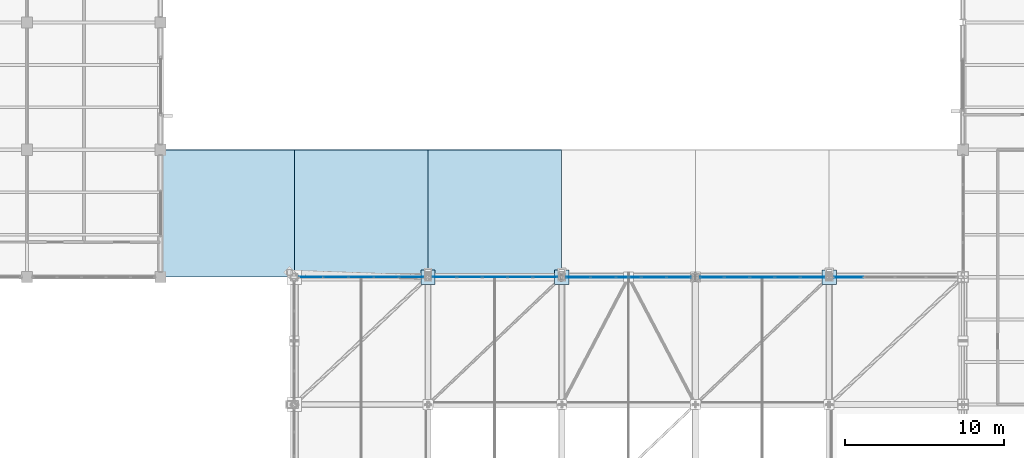
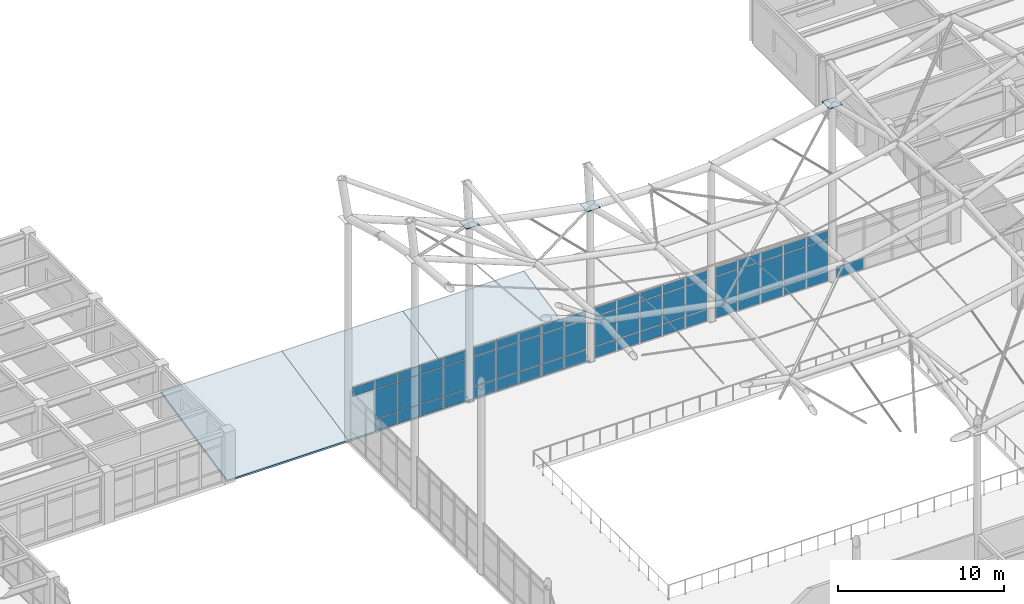
# One storey, part 62 of 138: 62 plates, 3 slabs, 5 elements without a shape of their own.
"""IFC4 building model written with IfcOpenShell, lengths in metres."""

from ifc_helpers import new_model, si_unit, direction, frame, origin, origin_2d, place, context, subcontext, project, spatial, polyline, rectangle, outline, extrude, material, layer, layer_set, type_object, element, aggregate, save


model = new_model("IFC4")

# Units and contexts
model_context = context("Model", 3, precision=1e-05, world=origin(), true_north=direction((0.0, 1.0)))
body_context = subcontext(model_context, "Body", "Model", "MODEL_VIEW")
ifc_project = project(units=[si_unit("LENGTHUNIT", "METRE"), si_unit("AREAUNIT", "SQUARE_METRE"), si_unit("VOLUMEUNIT", "CUBIC_METRE"), si_unit("PLANEANGLEUNIT", "RADIAN"), si_unit("MASSUNIT", "GRAM", prefix="KILO")], contexts=[model_context])

# Site, building, storey
site_placement = place(None, origin())
site = spatial("IfcSite", under=ifc_project, at=site_placement, CompositionType="ELEMENT")
building_placement = place(site_placement, origin())
building = spatial("IfcBuilding", under=site, at=building_placement, Name="Kranzveld Transit Interchange", CompositionType="ELEMENT")
storey_placement = place(building_placement, frame((0.0, 0.0, 5.43994140625)))
storey = spatial("IfcBuildingStorey", under=building, at=storey_placement, Name="L01", CompositionType="ELEMENT", Elevation=5.43994140625)

# Curtain wall, plates
ifc_material_1 = material(Name="Bronze-anodised thermally broken aluminium", Category="aluminium")
ifc_layer_1 = layer(ifc_material_1, 0.14990234375)
ifc_layer_set_1 = layer_set([ifc_layer_1], Name="Bronze-anodised thermally broken aluminium")
curtain_wall_type_1 = type_object("IfcCurtainWallType", Name="Public Passage Clerestory Screen CW-4", PredefinedType="USERDEFINED", material=ifc_layer_set_1)
curtain_wall_1_placement = place(storey_placement, origin())
curtain_wall_1 = element("IfcCurtainWall", 1, at=curtain_wall_1_placement, inside=storey, type_object=curtain_wall_type_1, Name="L01 Curtain Wall 08/M-09/M", ObjectType="CURTAIN WALL", PredefinedType="USERDEFINED")
ifc_material_2 = material(Name="Solar-control double glazing", Category="glass")
ifc_layer_2 = layer(ifc_material_2, 0.0419921875)
ifc_layer_set_2 = layer_set([ifc_layer_2], Name="Solar-control double glazing")
plate_type_1 = type_object("IfcPlateType", Name="Curtain Panel Laminated Glazing 42", PredefinedType="CURTAIN_PANEL", material=ifc_layer_set_2)
plate_1_placement = place(storey_placement, frame((59.837890625, 88.0, 3.1298828125), z_axis=(0.0, 0.0, 1.0), x_axis=(1.0, 0.0, 0.0)))
plate_1 = element("IfcPlate", 2, at=plate_1_placement, type_object=plate_type_1, Name="CW-4 panel 1.3", PredefinedType="CURTAIN_PANEL", context=body_context, shape_type="SweptSolid", body=[
    extrude(rectangle(XDim=1.49853515625, YDim=0.0419921875, at=origin_2d()), origin(), (0.0, 0.0, 1.0), 0.610107421875),
])
plate_2_placement = place(storey_placement, frame((61.411376953125, 88.0, 0.06005859375), z_axis=(0.0, 0.0, 1.0), x_axis=(1.0, 0.0, 0.0)))
plate_2 = element("IfcPlate", 3, at=plate_2_placement, type_object=plate_type_1, Name="CW-4 panel 2.1", PredefinedType="CURTAIN_PANEL", context=body_context, shape_type="SweptSolid", body=[
    extrude(rectangle(XDim=1.528564453125, YDim=0.0419921875, at=origin_2d()), origin(), (0.0, 0.0, 1.0), 0.81005859375),
])
plate_3_placement = place(storey_placement, frame((61.411376953125, 88.0, 0.93017578125), z_axis=(0.0, 0.0, 1.0), x_axis=(1.0, 0.0, 0.0)))
plate_3 = element("IfcPlate", 4, at=plate_3_placement, type_object=plate_type_1, Name="CW-4 panel 2.2", PredefinedType="CURTAIN_PANEL", context=body_context, shape_type="SweptSolid", body=[
    extrude(rectangle(XDim=1.528564453125, YDim=0.0419921875, at=origin_2d()), origin(), (0.0, 0.0, 1.0), 2.139892578125),
])
plate_4_placement = place(storey_placement, frame((61.411376953125, 88.0, 3.1298828125), z_axis=(0.0, 0.0, 1.0), x_axis=(1.0, 0.0, 0.0)))
plate_4 = element("IfcPlate", 5, at=plate_4_placement, type_object=plate_type_1, Name="CW-4 panel 2.3", PredefinedType="CURTAIN_PANEL", context=body_context, shape_type="SweptSolid", body=[
    extrude(rectangle(XDim=1.528564453125, YDim=0.0419921875, at=origin_2d()), origin(), (0.0, 0.0, 1.0), 0.610107421875),
])
plate_5_placement = place(storey_placement, frame((63.0, 88.0, 0.06005859375), z_axis=(0.0, 0.0, 1.0), x_axis=(1.0, 0.0, 0.0)))
plate_5 = element("IfcPlate", 6, at=plate_5_placement, type_object=plate_type_1, Name="CW-4 panel 3.1", PredefinedType="CURTAIN_PANEL", context=body_context, shape_type="SweptSolid", body=[
    extrude(rectangle(XDim=1.528564453125, YDim=0.0419921875, at=origin_2d()), origin(), (0.0, 0.0, 1.0), 0.81005859375),
])
plate_6_placement = place(storey_placement, frame((63.0, 88.0, 0.93017578125), z_axis=(0.0, 0.0, 1.0), x_axis=(1.0, 0.0, 0.0)))
plate_6 = element("IfcPlate", 7, at=plate_6_placement, type_object=plate_type_1, Name="CW-4 panel 3.2", PredefinedType="CURTAIN_PANEL", context=body_context, shape_type="SweptSolid", body=[
    extrude(rectangle(XDim=1.528564453125, YDim=0.0419921875, at=origin_2d()), origin(), (0.0, 0.0, 1.0), 2.139892578125),
])
plate_7_placement = place(storey_placement, frame((63.0, 88.0, 3.1298828125), z_axis=(0.0, 0.0, 1.0), x_axis=(1.0, 0.0, 0.0)))
plate_7 = element("IfcPlate", 8, at=plate_7_placement, type_object=plate_type_1, Name="CW-4 panel 3.3", PredefinedType="CURTAIN_PANEL", context=body_context, shape_type="SweptSolid", body=[
    extrude(rectangle(XDim=1.528564453125, YDim=0.0419921875, at=origin_2d()), origin(), (0.0, 0.0, 1.0), 0.610107421875),
])
plate_8_placement = place(storey_placement, frame((64.588623046875, 88.0, 0.06005859375), z_axis=(0.0, 0.0, 1.0), x_axis=(1.0, 0.0, 0.0)))
plate_8 = element("IfcPlate", 9, at=plate_8_placement, type_object=plate_type_1, Name="CW-4 panel 4.1", PredefinedType="CURTAIN_PANEL", context=body_context, shape_type="SweptSolid", body=[
    extrude(rectangle(XDim=1.528564453125, YDim=0.0419921875, at=origin_2d()), origin(), (0.0, 0.0, 1.0), 0.81005859375),
])
plate_9_placement = place(storey_placement, frame((64.588623046875, 88.0, 0.93017578125), z_axis=(0.0, 0.0, 1.0), x_axis=(1.0, 0.0, 0.0)))
plate_9 = element("IfcPlate", 10, at=plate_9_placement, type_object=plate_type_1, Name="CW-4 panel 4.2", PredefinedType="CURTAIN_PANEL", context=body_context, shape_type="SweptSolid", body=[
    extrude(rectangle(XDim=1.528564453125, YDim=0.0419921875, at=origin_2d()), origin(), (0.0, 0.0, 1.0), 2.139892578125),
])
plate_10_placement = place(storey_placement, frame((64.588623046875, 88.0, 3.1298828125), z_axis=(0.0, 0.0, 1.0), x_axis=(1.0, 0.0, 0.0)))
plate_10 = element("IfcPlate", 11, at=plate_10_placement, type_object=plate_type_1, Name="CW-4 panel 4.3", PredefinedType="CURTAIN_PANEL", context=body_context, shape_type="SweptSolid", body=[
    extrude(rectangle(XDim=1.528564453125, YDim=0.0419921875, at=origin_2d()), origin(), (0.0, 0.0, 1.0), 0.610107421875),
])
plate_11_placement = place(storey_placement, frame((66.162109375, 88.0, 0.06005859375), z_axis=(0.0, 0.0, 1.0), x_axis=(1.0, 0.0, 0.0)))
plate_11 = element("IfcPlate", 12, at=plate_11_placement, type_object=plate_type_1, Name="CW-4 panel 5.1", PredefinedType="CURTAIN_PANEL", context=body_context, shape_type="SweptSolid", body=[
    extrude(rectangle(XDim=1.49853515625, YDim=0.0419921875, at=origin_2d()), origin(), (0.0, 0.0, 1.0), 0.81005859375),
])
plate_12_placement = place(storey_placement, frame((66.162109375, 88.0, 0.93017578125), z_axis=(0.0, 0.0, 1.0), x_axis=(1.0, 0.0, 0.0)))
plate_12 = element("IfcPlate", 13, at=plate_12_placement, type_object=plate_type_1, Name="CW-4 panel 5.2", PredefinedType="CURTAIN_PANEL", context=body_context, shape_type="SweptSolid", body=[
    extrude(rectangle(XDim=1.49853515625, YDim=0.0419921875, at=origin_2d()), origin(), (0.0, 0.0, 1.0), 2.139892578125),
])
plate_13_placement = place(storey_placement, frame((66.162109375, 88.0, 3.1298828125), z_axis=(0.0, 0.0, 1.0), x_axis=(1.0, 0.0, 0.0)))
plate_13 = element("IfcPlate", 14, at=plate_13_placement, type_object=plate_type_1, Name="CW-4 panel 5.3", PredefinedType="CURTAIN_PANEL", context=body_context, shape_type="SweptSolid", body=[
    extrude(rectangle(XDim=1.49853515625, YDim=0.0419921875, at=origin_2d()), origin(), (0.0, 0.0, 1.0), 0.610107421875),
])
aggregate(curtain_wall_1, [plate_1, plate_2, plate_3, plate_4, plate_5, plate_6, plate_7, plate_8, plate_9, plate_10, plate_11, plate_12, plate_13])

ifc_material_3 = material(Name="Bronze-anodised thermally broken aluminium", Category="aluminium")
ifc_layer_3 = layer(ifc_material_3, 0.18505859375)
ifc_layer_set_3 = layer_set([ifc_layer_3], Name="Bronze-anodised thermally broken aluminium")
curtain_wall_type_2 = type_object("IfcCurtainWallType", Name="Control Crown Observation Facade CW-5", PredefinedType="USERDEFINED", material=ifc_layer_set_3)
curtain_wall_2_placement = place(storey_placement, origin())
curtain_wall_2 = element("IfcCurtainWall", 15, at=curtain_wall_2_placement, inside=storey, type_object=curtain_wall_type_2, Name="L01 Curtain Wall 09/M-10/M", ObjectType="CURTAIN WALL", PredefinedType="USERDEFINED")
ifc_material_4 = material(Name="Solar-control double glazing", Category="glass")
ifc_layer_4 = layer(ifc_material_4, 0.035888671875)
ifc_layer_set_4 = layer_set([ifc_layer_4], Name="Solar-control double glazing")
plate_type_2 = type_object("IfcPlateType", Name="Curtain Panel Triple Glazing 36", PredefinedType="CURTAIN_PANEL", material=ifc_layer_set_4)
plate_14_placement = place(storey_placement, frame((68.239013671875, 88.0, 0.06494140625), z_axis=(0.0, 0.0, 1.0), x_axis=(1.0, 0.0, 0.0)))
plate_14 = element("IfcPlate", 16, at=plate_14_placement, type_object=plate_type_2, Name="CW-5 panel 1.1", PredefinedType="CURTAIN_PANEL", context=body_context, shape_type="SweptSolid", body=[
    extrude(rectangle(XDim=1.4912109375, YDim=0.035888671875, at=origin_2d()), origin(), (0.0, 0.0, 1.0), 0.802490234375),
])
plate_15_placement = place(storey_placement, frame((68.239013671875, 88.0, 0.9326171875), z_axis=(0.0, 0.0, 1.0), x_axis=(1.0, 0.0, 0.0)))
plate_15 = element("IfcPlate", 17, at=plate_15_placement, type_object=plate_type_2, Name="CW-5 panel 1.2", PredefinedType="CURTAIN_PANEL", context=body_context, shape_type="SweptSolid", body=[
    extrude(rectangle(XDim=1.4912109375, YDim=0.035888671875, at=origin_2d()), origin(), (0.0, 0.0, 1.0), 2.135009765625),
])
plate_16_placement = place(storey_placement, frame((68.239013671875, 88.0, 3.132568359375), z_axis=(0.0, 0.0, 1.0), x_axis=(1.0, 0.0, 0.0)))
plate_16 = element("IfcPlate", 18, at=plate_16_placement, type_object=plate_type_2, Name="CW-5 panel 1.3", PredefinedType="CURTAIN_PANEL", context=body_context, shape_type="SweptSolid", body=[
    extrude(rectangle(XDim=1.4912109375, YDim=0.035888671875, at=origin_2d()), origin(), (0.0, 0.0, 1.0), 0.6025390625),
])
plate_17_placement = place(storey_placement, frame((69.811279296875, 88.0, 0.06494140625), z_axis=(0.0, 0.0, 1.0), x_axis=(1.0, 0.0, 0.0)))
plate_17 = element("IfcPlate", 19, at=plate_17_placement, type_object=plate_type_2, Name="CW-5 panel 2.1", PredefinedType="CURTAIN_PANEL", context=body_context, shape_type="SweptSolid", body=[
    extrude(rectangle(XDim=1.523681640625, YDim=0.035888671875, at=origin_2d()), origin(), (0.0, 0.0, 1.0), 0.802490234375),
])
plate_18_placement = place(storey_placement, frame((69.811279296875, 88.0, 0.9326171875), z_axis=(0.0, 0.0, 1.0), x_axis=(1.0, 0.0, 0.0)))
plate_18 = element("IfcPlate", 20, at=plate_18_placement, type_object=plate_type_2, Name="CW-5 panel 2.2", PredefinedType="CURTAIN_PANEL", context=body_context, shape_type="SweptSolid", body=[
    extrude(rectangle(XDim=1.523681640625, YDim=0.035888671875, at=origin_2d()), origin(), (0.0, 0.0, 1.0), 2.135009765625),
])
plate_19_placement = place(storey_placement, frame((69.811279296875, 88.0, 3.132568359375), z_axis=(0.0, 0.0, 1.0), x_axis=(1.0, 0.0, 0.0)))
plate_19 = element("IfcPlate", 21, at=plate_19_placement, type_object=plate_type_2, Name="CW-5 panel 2.3", PredefinedType="CURTAIN_PANEL", context=body_context, shape_type="SweptSolid", body=[
    extrude(rectangle(XDim=1.523681640625, YDim=0.035888671875, at=origin_2d()), origin(), (0.0, 0.0, 1.0), 0.6025390625),
])
plate_20_placement = place(storey_placement, frame((71.39990234375, 88.0, 0.06494140625), z_axis=(0.0, 0.0, 1.0), x_axis=(1.0, 0.0, 0.0)))
plate_20 = element("IfcPlate", 22, at=plate_20_placement, type_object=plate_type_2, Name="CW-5 panel 3.1", PredefinedType="CURTAIN_PANEL", context=body_context, shape_type="SweptSolid", body=[
    extrude(rectangle(XDim=1.523681640625, YDim=0.035888671875, at=origin_2d()), origin(), (0.0, 0.0, 1.0), 0.802490234375),
])
plate_21_placement = place(storey_placement, frame((71.39990234375, 88.0, 0.9326171875), z_axis=(0.0, 0.0, 1.0), x_axis=(1.0, 0.0, 0.0)))
plate_21 = element("IfcPlate", 23, at=plate_21_placement, type_object=plate_type_2, Name="CW-5 panel 3.2", PredefinedType="CURTAIN_PANEL", context=body_context, shape_type="SweptSolid", body=[
    extrude(rectangle(XDim=1.523681640625, YDim=0.035888671875, at=origin_2d()), origin(), (0.0, 0.0, 1.0), 2.135009765625),
])
plate_22_placement = place(storey_placement, frame((71.39990234375, 88.0, 3.132568359375), z_axis=(0.0, 0.0, 1.0), x_axis=(1.0, 0.0, 0.0)))
plate_22 = element("IfcPlate", 24, at=plate_22_placement, type_object=plate_type_2, Name="CW-5 panel 3.3", PredefinedType="CURTAIN_PANEL", context=body_context, shape_type="SweptSolid", body=[
    extrude(rectangle(XDim=1.523681640625, YDim=0.035888671875, at=origin_2d()), origin(), (0.0, 0.0, 1.0), 0.6025390625),
])
plate_23_placement = place(storey_placement, frame((72.988525390625, 88.0, 0.06494140625), z_axis=(0.0, 0.0, 1.0), x_axis=(1.0, 0.0, 0.0)))
plate_23 = element("IfcPlate", 25, at=plate_23_placement, type_object=plate_type_2, Name="CW-5 panel 4.1", PredefinedType="CURTAIN_PANEL", context=body_context, shape_type="SweptSolid", body=[
    extrude(rectangle(XDim=1.523681640625, YDim=0.035888671875, at=origin_2d()), origin(), (0.0, 0.0, 1.0), 0.802490234375),
])
plate_24_placement = place(storey_placement, frame((72.988525390625, 88.0, 0.9326171875), z_axis=(0.0, 0.0, 1.0), x_axis=(1.0, 0.0, 0.0)))
plate_24 = element("IfcPlate", 26, at=plate_24_placement, type_object=plate_type_2, Name="CW-5 panel 4.2", PredefinedType="CURTAIN_PANEL", context=body_context, shape_type="SweptSolid", body=[
    extrude(rectangle(XDim=1.523681640625, YDim=0.035888671875, at=origin_2d()), origin(), (0.0, 0.0, 1.0), 2.135009765625),
])
plate_25_placement = place(storey_placement, frame((72.988525390625, 88.0, 3.132568359375), z_axis=(0.0, 0.0, 1.0), x_axis=(1.0, 0.0, 0.0)))
plate_25 = element("IfcPlate", 27, at=plate_25_placement, type_object=plate_type_2, Name="CW-5 panel 4.3", PredefinedType="CURTAIN_PANEL", context=body_context, shape_type="SweptSolid", body=[
    extrude(rectangle(XDim=1.523681640625, YDim=0.035888671875, at=origin_2d()), origin(), (0.0, 0.0, 1.0), 0.6025390625),
])
plate_26_placement = place(storey_placement, frame((74.56103515625, 88.0, 0.06494140625), z_axis=(0.0, 0.0, 1.0), x_axis=(1.0, 0.0, 0.0)))
plate_26 = element("IfcPlate", 28, at=plate_26_placement, type_object=plate_type_2, Name="CW-5 panel 5.1", PredefinedType="CURTAIN_PANEL", context=body_context, shape_type="SweptSolid", body=[
    extrude(rectangle(XDim=1.4912109375, YDim=0.035888671875, at=origin_2d()), origin(), (0.0, 0.0, 1.0), 0.802490234375),
])
plate_27_placement = place(storey_placement, frame((74.56103515625, 88.0, 0.9326171875), z_axis=(0.0, 0.0, 1.0), x_axis=(1.0, 0.0, 0.0)))
plate_27 = element("IfcPlate", 29, at=plate_27_placement, type_object=plate_type_2, Name="CW-5 panel 5.2", PredefinedType="CURTAIN_PANEL", context=body_context, shape_type="SweptSolid", body=[
    extrude(rectangle(XDim=1.4912109375, YDim=0.035888671875, at=origin_2d()), origin(), (0.0, 0.0, 1.0), 2.135009765625),
])
plate_28_placement = place(storey_placement, frame((74.56103515625, 88.0, 3.132568359375), z_axis=(0.0, 0.0, 1.0), x_axis=(1.0, 0.0, 0.0)))
plate_28 = element("IfcPlate", 30, at=plate_28_placement, type_object=plate_type_2, Name="CW-5 panel 5.3", PredefinedType="CURTAIN_PANEL", context=body_context, shape_type="SweptSolid", body=[
    extrude(rectangle(XDim=1.4912109375, YDim=0.035888671875, at=origin_2d()), origin(), (0.0, 0.0, 1.0), 0.6025390625),
])
aggregate(curtain_wall_2, [plate_14, plate_15, plate_16, plate_17, plate_18, plate_19, plate_20, plate_21, plate_22, plate_23, plate_24, plate_25, plate_26, plate_27, plate_28])

ifc_material_5 = material(Name="Bronze-anodised thermally broken aluminium", Category="aluminium")
ifc_layer_5 = layer(ifc_material_5, 0.1650390625)
ifc_layer_set_5 = layer_set([ifc_layer_5], Name="Bronze-anodised thermally broken aluminium")
curtain_wall_type_3 = type_object("IfcCurtainWallType", Name="Sunny Court Arcade Curtain Wall CW-2", PredefinedType="USERDEFINED", material=ifc_layer_set_5)
curtain_wall_3_placement = place(storey_placement, origin())
curtain_wall_3 = element("IfcCurtainWall", 31, at=curtain_wall_3_placement, inside=storey, type_object=curtain_wall_type_3, Name="L01 Curtain Wall 11/M-12/M", ObjectType="CURTAIN WALL", PredefinedType="USERDEFINED")
ifc_material_6 = material(Name="Pretoria red-purple clinker clay face brick, 35 MPa", Category="masonry")
ifc_layer_6 = layer(ifc_material_6, 0.050048828125)
ifc_layer_set_6 = layer_set([ifc_layer_6], Name="Pretoria red-purple clinker clay face brick, 35 MPa")
plate_type_3 = type_object("IfcPlateType", Name="Curtain Spandrel Clinker Tile 50", PredefinedType="CURTAIN_PANEL", material=ifc_layer_set_6)
plate_29_placement = place(storey_placement, frame((85.0390625, 88.0, 0.06005859375), z_axis=(0.0, 0.0, 1.0), x_axis=(1.0, 0.0, 0.0)))
plate_29 = element("IfcPlate", 32, at=plate_29_placement, type_object=plate_type_3, Name="CW-2 panel 1.1", PredefinedType="CURTAIN_PANEL", context=body_context, shape_type="SweptSolid", body=[
    extrude(rectangle(XDim=1.4912109375, YDim=0.050048828125, at=origin_2d()), origin(), (0.0, 0.0, 1.0), 0.81005859375),
])
plate_30_placement = place(storey_placement, frame((85.0390625, 88.0, 0.93017578125), z_axis=(0.0, 0.0, 1.0), x_axis=(1.0, 0.0, 0.0)))
plate_30 = element("IfcPlate", 33, at=plate_30_placement, type_object=plate_type_3, Name="CW-2 panel 1.2", PredefinedType="CURTAIN_PANEL", context=body_context, shape_type="SweptSolid", body=[
    extrude(rectangle(XDim=1.4912109375, YDim=0.050048828125, at=origin_2d()), origin(), (0.0, 0.0, 1.0), 2.139892578125),
])
plate_31_placement = place(storey_placement, frame((85.0390625, 88.0, 3.1298828125), z_axis=(0.0, 0.0, 1.0), x_axis=(1.0, 0.0, 0.0)))
plate_31 = element("IfcPlate", 34, at=plate_31_placement, type_object=plate_type_3, Name="CW-2 panel 1.3", PredefinedType="CURTAIN_PANEL", context=body_context, shape_type="SweptSolid", body=[
    extrude(rectangle(XDim=1.4912109375, YDim=0.050048828125, at=origin_2d()), origin(), (0.0, 0.0, 1.0), 0.610107421875),
])
plate_32_placement = place(storey_placement, frame((86.611328125, 88.0, 0.06005859375), z_axis=(0.0, 0.0, 1.0), x_axis=(1.0, 0.0, 0.0)))
plate_32 = element("IfcPlate", 35, at=plate_32_placement, type_object=plate_type_3, Name="CW-2 panel 2.1", PredefinedType="CURTAIN_PANEL", context=body_context, shape_type="SweptSolid", body=[
    extrude(rectangle(XDim=1.523681640625, YDim=0.050048828125, at=origin_2d()), origin(), (0.0, 0.0, 1.0), 0.81005859375),
])
plate_33_placement = place(storey_placement, frame((86.611328125, 88.0, 0.93017578125), z_axis=(0.0, 0.0, 1.0), x_axis=(1.0, 0.0, 0.0)))
plate_33 = element("IfcPlate", 36, at=plate_33_placement, type_object=plate_type_3, Name="CW-2 panel 2.2", PredefinedType="CURTAIN_PANEL", context=body_context, shape_type="SweptSolid", body=[
    extrude(rectangle(XDim=1.523681640625, YDim=0.050048828125, at=origin_2d()), origin(), (0.0, 0.0, 1.0), 2.139892578125),
])
plate_34_placement = place(storey_placement, frame((86.611328125, 88.0, 3.1298828125), z_axis=(0.0, 0.0, 1.0), x_axis=(1.0, 0.0, 0.0)))
plate_34 = element("IfcPlate", 37, at=plate_34_placement, type_object=plate_type_3, Name="CW-2 panel 2.3", PredefinedType="CURTAIN_PANEL", context=body_context, shape_type="SweptSolid", body=[
    extrude(rectangle(XDim=1.523681640625, YDim=0.050048828125, at=origin_2d()), origin(), (0.0, 0.0, 1.0), 0.610107421875),
])
plate_35_placement = place(storey_placement, frame((88.199951171875, 88.0, 0.06005859375), z_axis=(0.0, 0.0, 1.0), x_axis=(1.0, 0.0, 0.0)))
plate_35 = element("IfcPlate", 38, at=plate_35_placement, type_object=plate_type_3, Name="CW-2 panel 3.1", PredefinedType="CURTAIN_PANEL", context=body_context, shape_type="SweptSolid", body=[
    extrude(rectangle(XDim=1.523681640625, YDim=0.050048828125, at=origin_2d()), origin(), (0.0, 0.0, 1.0), 0.81005859375),
])
plate_36_placement = place(storey_placement, frame((88.199951171875, 88.0, 0.93017578125), z_axis=(0.0, 0.0, 1.0), x_axis=(1.0, 0.0, 0.0)))
plate_36 = element("IfcPlate", 39, at=plate_36_placement, type_object=plate_type_3, Name="CW-2 panel 3.2", PredefinedType="CURTAIN_PANEL", context=body_context, shape_type="SweptSolid", body=[
    extrude(rectangle(XDim=1.523681640625, YDim=0.050048828125, at=origin_2d()), origin(), (0.0, 0.0, 1.0), 2.139892578125),
])
plate_37_placement = place(storey_placement, frame((88.199951171875, 88.0, 3.1298828125), z_axis=(0.0, 0.0, 1.0), x_axis=(1.0, 0.0, 0.0)))
plate_37 = element("IfcPlate", 40, at=plate_37_placement, type_object=plate_type_3, Name="CW-2 panel 3.3", PredefinedType="CURTAIN_PANEL", context=body_context, shape_type="SweptSolid", body=[
    extrude(rectangle(XDim=1.523681640625, YDim=0.050048828125, at=origin_2d()), origin(), (0.0, 0.0, 1.0), 0.610107421875),
])
plate_38_placement = place(storey_placement, frame((89.78857421875, 88.0, 0.06005859375), z_axis=(0.0, 0.0, 1.0), x_axis=(1.0, 0.0, 0.0)))
plate_38 = element("IfcPlate", 41, at=plate_38_placement, type_object=plate_type_3, Name="CW-2 panel 4.1", PredefinedType="CURTAIN_PANEL", context=body_context, shape_type="SweptSolid", body=[
    extrude(rectangle(XDim=1.523681640625, YDim=0.050048828125, at=origin_2d()), origin(), (0.0, 0.0, 1.0), 0.81005859375),
])
plate_39_placement = place(storey_placement, frame((89.78857421875, 88.0, 0.93017578125), z_axis=(0.0, 0.0, 1.0), x_axis=(1.0, 0.0, 0.0)))
plate_39 = element("IfcPlate", 42, at=plate_39_placement, type_object=plate_type_3, Name="CW-2 panel 4.2", PredefinedType="CURTAIN_PANEL", context=body_context, shape_type="SweptSolid", body=[
    extrude(rectangle(XDim=1.523681640625, YDim=0.050048828125, at=origin_2d()), origin(), (0.0, 0.0, 1.0), 2.139892578125),
])
plate_40_placement = place(storey_placement, frame((89.78857421875, 88.0, 3.1298828125), z_axis=(0.0, 0.0, 1.0), x_axis=(1.0, 0.0, 0.0)))
plate_40 = element("IfcPlate", 43, at=plate_40_placement, type_object=plate_type_3, Name="CW-2 panel 4.3", PredefinedType="CURTAIN_PANEL", context=body_context, shape_type="SweptSolid", body=[
    extrude(rectangle(XDim=1.523681640625, YDim=0.050048828125, at=origin_2d()), origin(), (0.0, 0.0, 1.0), 0.610107421875),
])
plate_41_placement = place(storey_placement, frame((91.36083984375, 88.0, 0.06005859375), z_axis=(0.0, 0.0, 1.0), x_axis=(1.0, 0.0, 0.0)))
plate_41 = element("IfcPlate", 44, at=plate_41_placement, type_object=plate_type_3, Name="CW-2 panel 5.1", PredefinedType="CURTAIN_PANEL", context=body_context, shape_type="SweptSolid", body=[
    extrude(rectangle(XDim=1.4912109375, YDim=0.050048828125, at=origin_2d()), origin(), (0.0, 0.0, 1.0), 0.81005859375),
])
plate_42_placement = place(storey_placement, frame((91.36083984375, 88.0, 0.93017578125), z_axis=(0.0, 0.0, 1.0), x_axis=(1.0, 0.0, 0.0)))
plate_42 = element("IfcPlate", 45, at=plate_42_placement, type_object=plate_type_3, Name="CW-2 panel 5.2", PredefinedType="CURTAIN_PANEL", context=body_context, shape_type="SweptSolid", body=[
    extrude(rectangle(XDim=1.4912109375, YDim=0.050048828125, at=origin_2d()), origin(), (0.0, 0.0, 1.0), 2.139892578125),
])
plate_43_placement = place(storey_placement, frame((91.36083984375, 88.0, 3.1298828125), z_axis=(0.0, 0.0, 1.0), x_axis=(1.0, 0.0, 0.0)))
plate_43 = element("IfcPlate", 46, at=plate_43_placement, type_object=plate_type_3, Name="CW-2 panel 5.3", PredefinedType="CURTAIN_PANEL", context=body_context, shape_type="SweptSolid", body=[
    extrude(rectangle(XDim=1.4912109375, YDim=0.050048828125, at=origin_2d()), origin(), (0.0, 0.0, 1.0), 0.610107421875),
])
aggregate(curtain_wall_3, [plate_29, plate_30, plate_31, plate_32, plate_33, plate_34, plate_35, plate_36, plate_37, plate_38, plate_39, plate_40, plate_41, plate_42, plate_43])

# Curtain wall, plate
ifc_material_7 = material(Name="Bronze-anodised thermally broken aluminium", Category="aluminium")
ifc_layer_7 = layer(ifc_material_7, 0.159912109375)
ifc_layer_set_7 = layer_set([ifc_layer_7], Name="Bronze-anodised thermally broken aluminium")
curtain_wall_type_4 = type_object("IfcCurtainWallType", Name="Bus Boarding Glazed Screen CW-3", PredefinedType="USERDEFINED", material=ifc_layer_set_7)
curtain_wall_4_placement = place(storey_placement, origin())
curtain_wall_4 = element("IfcCurtainWall", 47, at=curtain_wall_4_placement, inside=storey, type_object=curtain_wall_type_4, Name="L01 Curtain Wall 12/M-13/M", ObjectType="CURTAIN WALL", PredefinedType="USERDEFINED")
ifc_material_8 = material(Name="Bronze-anodised thermally broken aluminium", Category="aluminium")
ifc_layer_8 = layer(ifc_material_8, 0.053955078125)
ifc_layer_set_8 = layer_set([ifc_layer_8], Name="Bronze-anodised thermally broken aluminium")
plate_type_4 = type_object("IfcPlateType", Name="Curtain Spandrel Insulated Alu 54", PredefinedType="CURTAIN_PANEL", material=ifc_layer_set_8)
plate_44_placement = place(storey_placement, frame((93.62109375, 88.0, 0.06494140625), z_axis=(0.0, 0.0, 1.0), x_axis=(1.0, 0.0, 0.0)))
plate_44 = element("IfcPlate", 48, at=plate_44_placement, type_object=plate_type_4, Name="CW-3 panel 1.1", PredefinedType="CURTAIN_PANEL", context=body_context, shape_type="SweptSolid", body=[
    extrude(rectangle(XDim=1.865478515625, YDim=0.053955078125, at=origin_2d()), origin(), (0.0, 0.0, 1.0), 0.802490234375),
])
aggregate(curtain_wall_4, [plate_44])

# Curtain wall, plates
ifc_material_9 = material(Name="Bronze-anodised thermally broken aluminium", Category="aluminium")
ifc_layer_9 = layer(ifc_material_9, 0.155029296875)
ifc_layer_set_9 = layer_set([ifc_layer_9], Name="Bronze-anodised thermally broken aluminium")
curtain_wall_type_5 = type_object("IfcCurtainWallType", Name="Operations Courtyard Glazed Screen CW-6", PredefinedType="USERDEFINED", material=ifc_layer_set_9)
curtain_wall_5_placement = place(storey_placement, origin())
curtain_wall_5 = element("IfcCurtainWall", 49, at=curtain_wall_5_placement, inside=storey, type_object=curtain_wall_type_5, Name="L01 Curtain Wall 10/M-11/M", ObjectType="CURTAIN WALL", PredefinedType="USERDEFINED")
ifc_material_10 = material(Name="Ochre Pretoria sandstone cladding, 45 MPa", Category="masonry")
ifc_layer_10 = layer(ifc_material_10, 0.0458984375)
ifc_layer_set_10 = layer_set([ifc_layer_10], Name="Ochre Pretoria sandstone cladding, 45 MPa")
plate_type_5 = type_object("IfcPlateType", Name="Curtain Spandrel Sandstone 46", PredefinedType="CURTAIN_PANEL", material=ifc_layer_set_10)
plate_45_placement = place(storey_placement, frame((76.63916015625, 88.0, 0.06005859375), z_axis=(0.0, 0.0, 1.0), x_axis=(1.0, 0.0, 0.0)))
plate_45 = element("IfcPlate", 50, at=plate_45_placement, type_object=plate_type_5, Name="CW-6 panel 1.1", PredefinedType="CURTAIN_PANEL", context=body_context, shape_type="SweptSolid", body=[
    extrude(rectangle(XDim=1.4912109375, YDim=0.0458984375, at=origin_2d()), origin(), (0.0, 0.0, 1.0), 0.81005859375),
])
plate_46_placement = place(storey_placement, frame((76.63916015625, 88.0, 0.93017578125), z_axis=(0.0, 0.0, 1.0), x_axis=(1.0, 0.0, 0.0)))
plate_46 = element("IfcPlate", 51, at=plate_46_placement, type_object=plate_type_5, Name="CW-6 panel 1.2", PredefinedType="CURTAIN_PANEL", context=body_context, shape_type="SweptSolid", body=[
    extrude(rectangle(XDim=1.4912109375, YDim=0.0458984375, at=origin_2d()), origin(), (0.0, 0.0, 1.0), 2.139892578125),
])
plate_47_placement = place(storey_placement, frame((76.63916015625, 88.0, 3.1298828125), z_axis=(0.0, 0.0, 1.0), x_axis=(1.0, 0.0, 0.0)))
plate_47 = element("IfcPlate", 52, at=plate_47_placement, type_object=plate_type_5, Name="CW-6 panel 1.3", PredefinedType="CURTAIN_PANEL", context=body_context, shape_type="SweptSolid", body=[
    extrude(rectangle(XDim=1.4912109375, YDim=0.0458984375, at=origin_2d()), origin(), (0.0, 0.0, 1.0), 0.610107421875),
])
plate_48_placement = place(storey_placement, frame((78.21142578125, 88.0, 0.06005859375), z_axis=(0.0, 0.0, 1.0), x_axis=(1.0, 0.0, 0.0)))
plate_48 = element("IfcPlate", 53, at=plate_48_placement, type_object=plate_type_5, Name="CW-6 panel 2.1", PredefinedType="CURTAIN_PANEL", context=body_context, shape_type="SweptSolid", body=[
    extrude(rectangle(XDim=1.523681640625, YDim=0.0458984375, at=origin_2d()), origin(), (0.0, 0.0, 1.0), 0.81005859375),
])
plate_49_placement = place(storey_placement, frame((78.21142578125, 88.0, 0.93017578125), z_axis=(0.0, 0.0, 1.0), x_axis=(1.0, 0.0, 0.0)))
plate_49 = element("IfcPlate", 54, at=plate_49_placement, type_object=plate_type_5, Name="CW-6 panel 2.2", PredefinedType="CURTAIN_PANEL", context=body_context, shape_type="SweptSolid", body=[
    extrude(rectangle(XDim=1.523681640625, YDim=0.0458984375, at=origin_2d()), origin(), (0.0, 0.0, 1.0), 2.139892578125),
])
plate_50_placement = place(storey_placement, frame((78.21142578125, 88.0, 3.1298828125), z_axis=(0.0, 0.0, 1.0), x_axis=(1.0, 0.0, 0.0)))
plate_50 = element("IfcPlate", 55, at=plate_50_placement, type_object=plate_type_5, Name="CW-6 panel 2.3", PredefinedType="CURTAIN_PANEL", context=body_context, shape_type="SweptSolid", body=[
    extrude(rectangle(XDim=1.523681640625, YDim=0.0458984375, at=origin_2d()), origin(), (0.0, 0.0, 1.0), 0.610107421875),
])
plate_51_placement = place(storey_placement, frame((79.800048828125, 88.0, 0.06005859375), z_axis=(0.0, 0.0, 1.0), x_axis=(1.0, 0.0, 0.0)))
plate_51 = element("IfcPlate", 56, at=plate_51_placement, type_object=plate_type_5, Name="CW-6 panel 3.1", PredefinedType="CURTAIN_PANEL", context=body_context, shape_type="SweptSolid", body=[
    extrude(rectangle(XDim=1.523681640625, YDim=0.0458984375, at=origin_2d()), origin(), (0.0, 0.0, 1.0), 0.81005859375),
])
plate_52_placement = place(storey_placement, frame((79.800048828125, 88.0, 0.93017578125), z_axis=(0.0, 0.0, 1.0), x_axis=(1.0, 0.0, 0.0)))
plate_52 = element("IfcPlate", 57, at=plate_52_placement, type_object=plate_type_5, Name="CW-6 panel 3.2", PredefinedType="CURTAIN_PANEL", context=body_context, shape_type="SweptSolid", body=[
    extrude(rectangle(XDim=1.523681640625, YDim=0.0458984375, at=origin_2d()), origin(), (0.0, 0.0, 1.0), 2.139892578125),
])
plate_53_placement = place(storey_placement, frame((79.800048828125, 88.0, 3.1298828125), z_axis=(0.0, 0.0, 1.0), x_axis=(1.0, 0.0, 0.0)))
plate_53 = element("IfcPlate", 58, at=plate_53_placement, type_object=plate_type_5, Name="CW-6 panel 3.3", PredefinedType="CURTAIN_PANEL", context=body_context, shape_type="SweptSolid", body=[
    extrude(rectangle(XDim=1.523681640625, YDim=0.0458984375, at=origin_2d()), origin(), (0.0, 0.0, 1.0), 0.610107421875),
])
plate_54_placement = place(storey_placement, frame((81.388671875, 88.0, 0.06005859375), z_axis=(0.0, 0.0, 1.0), x_axis=(1.0, 0.0, 0.0)))
plate_54 = element("IfcPlate", 59, at=plate_54_placement, type_object=plate_type_5, Name="CW-6 panel 4.1", PredefinedType="CURTAIN_PANEL", context=body_context, shape_type="SweptSolid", body=[
    extrude(rectangle(XDim=1.523681640625, YDim=0.0458984375, at=origin_2d()), origin(), (0.0, 0.0, 1.0), 0.81005859375),
])
plate_55_placement = place(storey_placement, frame((81.388671875, 88.0, 0.93017578125), z_axis=(0.0, 0.0, 1.0), x_axis=(1.0, 0.0, 0.0)))
plate_55 = element("IfcPlate", 60, at=plate_55_placement, type_object=plate_type_5, Name="CW-6 panel 4.2", PredefinedType="CURTAIN_PANEL", context=body_context, shape_type="SweptSolid", body=[
    extrude(rectangle(XDim=1.523681640625, YDim=0.0458984375, at=origin_2d()), origin(), (0.0, 0.0, 1.0), 2.139892578125),
])
plate_56_placement = place(storey_placement, frame((81.388671875, 88.0, 3.1298828125), z_axis=(0.0, 0.0, 1.0), x_axis=(1.0, 0.0, 0.0)))
plate_56 = element("IfcPlate", 61, at=plate_56_placement, type_object=plate_type_5, Name="CW-6 panel 4.3", PredefinedType="CURTAIN_PANEL", context=body_context, shape_type="SweptSolid", body=[
    extrude(rectangle(XDim=1.523681640625, YDim=0.0458984375, at=origin_2d()), origin(), (0.0, 0.0, 1.0), 0.610107421875),
])
plate_57_placement = place(storey_placement, frame((82.9609375, 88.0, 0.06005859375), z_axis=(0.0, 0.0, 1.0), x_axis=(1.0, 0.0, 0.0)))
plate_57 = element("IfcPlate", 62, at=plate_57_placement, type_object=plate_type_5, Name="CW-6 panel 5.1", PredefinedType="CURTAIN_PANEL", context=body_context, shape_type="SweptSolid", body=[
    extrude(rectangle(XDim=1.4912109375, YDim=0.0458984375, at=origin_2d()), origin(), (0.0, 0.0, 1.0), 0.81005859375),
])
plate_58_placement = place(storey_placement, frame((82.9609375, 88.0, 0.93017578125), z_axis=(0.0, 0.0, 1.0), x_axis=(1.0, 0.0, 0.0)))
plate_58 = element("IfcPlate", 63, at=plate_58_placement, type_object=plate_type_5, Name="CW-6 panel 5.2", PredefinedType="CURTAIN_PANEL", context=body_context, shape_type="SweptSolid", body=[
    extrude(rectangle(XDim=1.4912109375, YDim=0.0458984375, at=origin_2d()), origin(), (0.0, 0.0, 1.0), 2.139892578125),
])
plate_59_placement = place(storey_placement, frame((82.9609375, 88.0, 3.1298828125), z_axis=(0.0, 0.0, 1.0), x_axis=(1.0, 0.0, 0.0)))
plate_59 = element("IfcPlate", 64, at=plate_59_placement, type_object=plate_type_5, Name="CW-6 panel 5.3", PredefinedType="CURTAIN_PANEL", context=body_context, shape_type="SweptSolid", body=[
    extrude(rectangle(XDim=1.4912109375, YDim=0.0458984375, at=origin_2d()), origin(), (0.0, 0.0, 1.0), 0.610107421875),
])
aggregate(curtain_wall_5, [plate_45, plate_46, plate_47, plate_48, plate_49, plate_50, plate_51, plate_52, plate_53, plate_54, plate_55, plate_56, plate_57, plate_58, plate_59])

# Plates
ifc_material_11 = material(Name="Steel S355JR", Category="steel")
ifc_layer_11 = layer(ifc_material_11, 0.050048828125)
ifc_layer_set_11 = layer_set([ifc_layer_11], Name="Steel S355JR")
plate_type_6 = type_object("IfcPlateType", Name="Mast Base Plate 900x900x50 S355JR", PredefinedType="SHEET", material=ifc_layer_set_11)
for number, where, z_axis, x_axis, name in (
    (65, (67.199951171875, 88.0, 12.9521484375), (0.0, 0.0, 1.0), (1.0, 0.0, 0.0), "Saddle Mast Base Plate M10 (09/M)"),
    (66, (75.60009765625, 88.0, 11.2880859375), (0.0, 0.0, 1.0), (1.0, 0.0, 0.0), "Saddle Mast Base Plate M11 (10/M)"),
    (67, (92.39990234375, 88.0, 12.9521484375), (0.0, 0.0, 1.0), (1.0, 0.0, 0.0), "Saddle Mast Base Plate M12 (12/M)"),
):
    element("IfcPlate", number, at=place(storey_placement, frame(where, z_axis=z_axis, x_axis=x_axis)), inside=storey, type_object=plate_type_6, Name=name, PredefinedType="SHEET", context=body_context, shape_type="SweptSolid", body=[
        extrude(rectangle(XDim=0.89990234375, YDim=0.89990234375, at=origin_2d()), origin(), (0.0, 0.0, 1.0), 0.050048828125),
    ])

# Slabs
ifc_material_12 = material(Name="Concrete C35/45", Category="concrete")
ifc_layer_12 = layer(ifc_material_12, 0.1650390625)
ifc_layer_set_12 = layer_set([ifc_layer_12], Name="Concrete C35/45")
slab_type = type_object("IfcSlabType", Name="Pitched Sawtooth Composite Roof Deck 165 C35/45", PredefinedType="ROOF", material=ifc_layer_set_12)
slab_1_placement = place(storey_placement, frame((50.39990234375, 88.0, 0.0), z_axis=(0.0, -0.205537829511, 0.978649171378), x_axis=(1.0, 0.0, 0.0)))
element("IfcSlab", 68, at=slab_1_placement, inside=storey, type_object=slab_type, Name="Forecourt Entrance Canopy Deck 07-08", PredefinedType="ROOF", context=body_context, shape_type="SweptSolid", body=[
    extrude(outline(polyline([(0.0, 0.0), (8.400146484375, 0.0), (8.400146484375, 8.174533054303412), (0.0, 8.174533054303412), (0.0, 0.0)])), origin(), (0.0, 0.0, -1.0), 0.1650390625),
])
slab_2_placement = place(storey_placement, frame((58.800048828125, 88.0, 0.0), z_axis=(0.0, -0.205537829511, 0.978649171378), x_axis=(1.0, 0.0, 0.0)))
element("IfcSlab", 69, at=slab_2_placement, inside=storey, type_object=slab_type, Name="Forecourt Entrance Canopy Deck 08-09", PredefinedType="ROOF", context=body_context, shape_type="SweptSolid", body=[
    extrude(outline(polyline([(0.0, 0.0), (8.39990234375, 0.0), (8.39990234375, 8.174533054303412), (0.0, 8.174533054303412), (0.0, 0.0)])), origin(), (0.0, 0.0, -1.0), 0.1650390625),
])
slab_3_placement = place(storey_placement, frame((67.199951171875, 88.0, 0.0), z_axis=(0.0, -0.205537829511, 0.978649171378), x_axis=(1.0, 0.0, 0.0)))
element("IfcSlab", 70, at=slab_3_placement, inside=storey, type_object=slab_type, Name="Forecourt Entrance Canopy Deck 09-10", PredefinedType="ROOF", context=body_context, shape_type="SweptSolid", body=[
    extrude(outline(polyline([(0.0, 0.0), (8.400146484375, 0.0), (8.400146484375, 8.174533054303412), (0.0, 8.174533054303412), (0.0, 0.0)])), origin(), (0.0, 0.0, -1.0), 0.1650390625),
])

save(model, "model.ifc")
